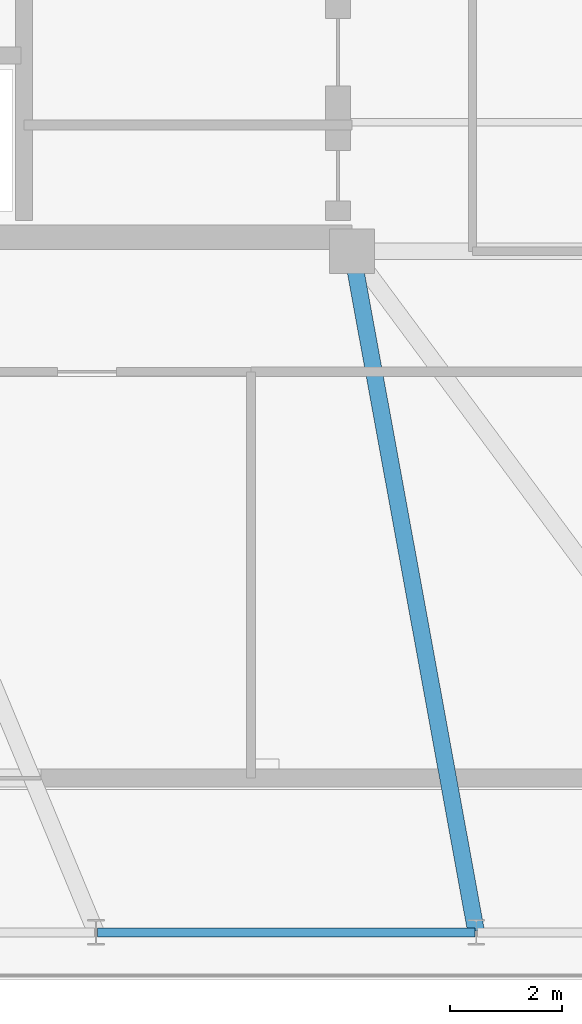
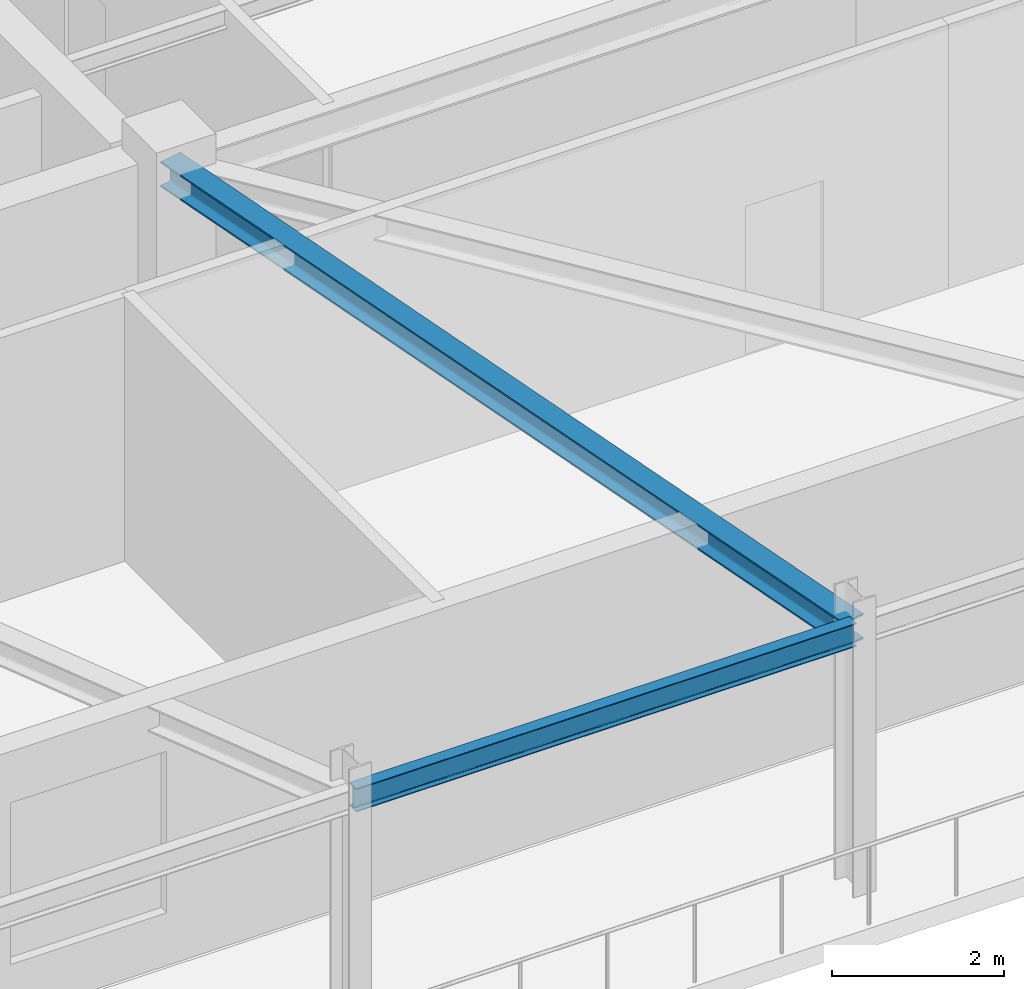
# One storey, part 5 of 24: 2 beams.
"""IFC4 building model written with IfcOpenShell, lengths in metres."""

from ifc_helpers import new_model, si_unit, direction, frame, origin, origin_2d, place, context, subcontext, project, spatial, i_section, extrude, material, material_profile, profile_set, type_object, element, save


model = new_model("IFC4")

# Units and contexts
model_context = context("Model", 3, precision=1e-05, world=origin(), true_north=direction((0.0, 1.0)))
body_context = subcontext(model_context, "Body", "Model", "MODEL_VIEW")
ifc_project = project(units=[si_unit("LENGTHUNIT", "METRE"), si_unit("AREAUNIT", "SQUARE_METRE"), si_unit("VOLUMEUNIT", "CUBIC_METRE"), si_unit("PLANEANGLEUNIT", "RADIAN"), si_unit("MASSUNIT", "GRAM", prefix="KILO")], contexts=[model_context])

# Site, building, storey
site_placement = place(None, origin())
site = spatial("IfcSite", under=ifc_project, at=site_placement, CompositionType="ELEMENT")
building_placement = place(site_placement, origin())
building = spatial("IfcBuilding", under=site, at=building_placement, Name="Qobustan Lattice House", CompositionType="ELEMENT")
storey_placement = place(building_placement, frame((0.0, 0.0, 261.800048828125)))
storey = spatial("IfcBuildingStorey", under=building, at=storey_placement, Name="L74", CompositionType="ELEMENT", Elevation=261.800048828125)

# Beams
ifc_material_1 = material(Name="Steel S355", Category="steel")
ifc_material_profile_1 = material_profile(ifc_material_1, i_section(OverallWidth=0.300048828125, OverallDepth=0.360107421875, WebThickness=0.012451171875, FlangeThickness=0.0224609375, FilletRadius=0.027099609375, at=origin_2d()), Name="HEB360")
ifc_profile_set_1 = profile_set([ifc_material_profile_1], Name="Steel S355")
beam_type_1 = type_object("IfcBeamType", Name="BM-FLG-HEB360", PredefinedType="USERDEFINED", material=ifc_profile_set_1)
beam_1_placement = place(storey_placement, frame((-6.98779296875, -17.725341796875, 3.599853515625), z_axis=(-0.179484493831, 0.983760802469, 0.0), x_axis=(-0.983760802469, -0.179484493831, 0.0)))
element("IfcBeam", 1, at=beam_1_placement, inside=storey, type_object=beam_type_1, Name="L74 primary floor girder RAD-S3", ObjectType="GIRDER", PredefinedType="USERDEFINED", context=body_context, shape_type="SweptSolid", body=[
    extrude(i_section(OverallWidth=0.300048828125, OverallDepth=0.360107421875, WebThickness=0.012451171875, FlangeThickness=0.0224609375, FilletRadius=0.027099609375, at=origin_2d()), origin(), (0.0, 0.0, 1.0), 12.300537109375),
])
ifc_material_2 = material(Name="Steel S355", Category="steel")
ifc_material_profile_2 = material_profile(ifc_material_2, i_section(OverallWidth=0.159912109375, OverallDepth=0.330078125, WebThickness=0.007568359375, FlangeThickness=0.011474609375, FilletRadius=0.01806640625, at=origin_2d()), Name="IPE330")
ifc_profile_set_2 = profile_set([ifc_material_profile_2], Name="Steel S355")
beam_type_2 = type_object("IfcBeamType", Name="BM-SPD-IPE330", PredefinedType="SPANDREL", material=ifc_profile_set_2)
beam_2_placement = place(storey_placement, frame((-13.74169921875, -17.75, 3.614990234375), z_axis=(1.0, 0.0, 0.0), x_axis=(0.0, 1.0, 0.0)))
element("IfcBeam", 2, at=beam_2_placement, inside=storey, type_object=beam_type_2, Name="L74 perimeter spandrel S2-S3", PredefinedType="SPANDREL", context=body_context, shape_type="SweptSolid", body=[
    extrude(i_section(OverallWidth=0.159912109375, OverallDepth=0.330078125, WebThickness=0.007568359375, FlangeThickness=0.011474609375, FilletRadius=0.01806640625, at=origin_2d()), origin(), (0.0, 0.0, 1.0), 6.7333984375),
])

save(model, "model.ifc")
